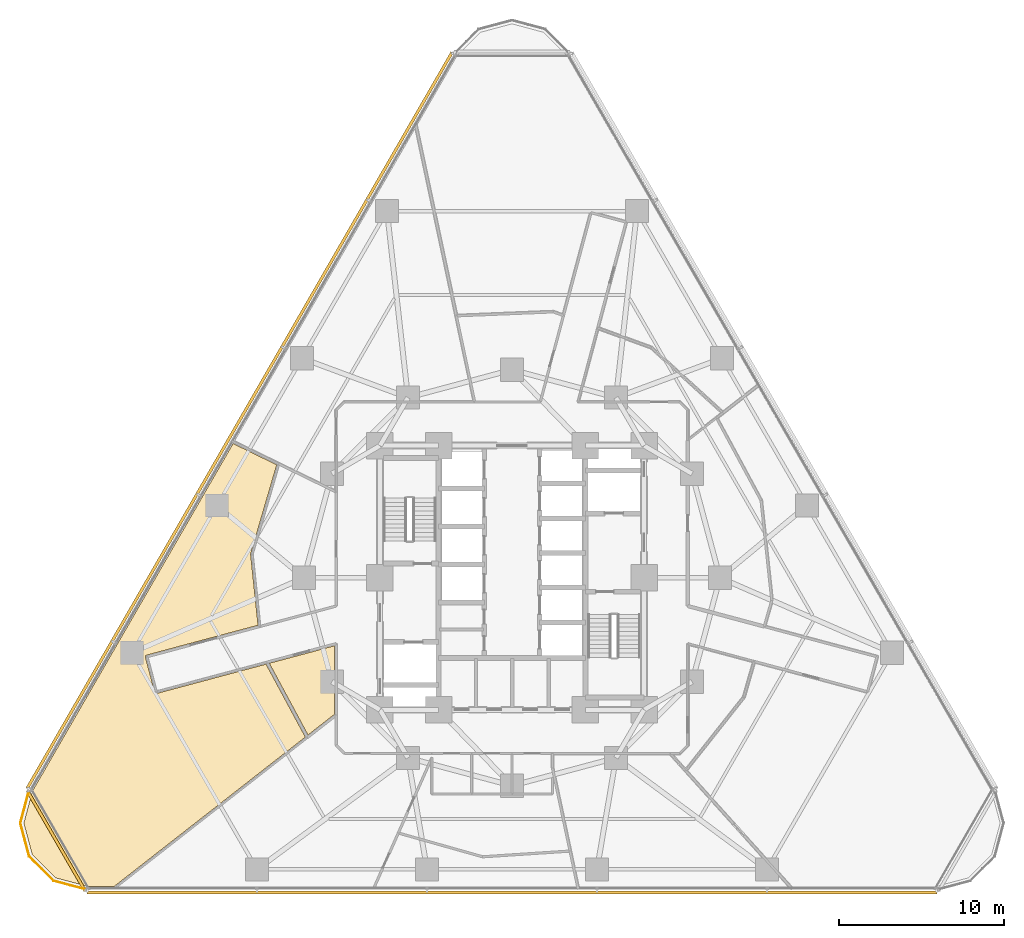
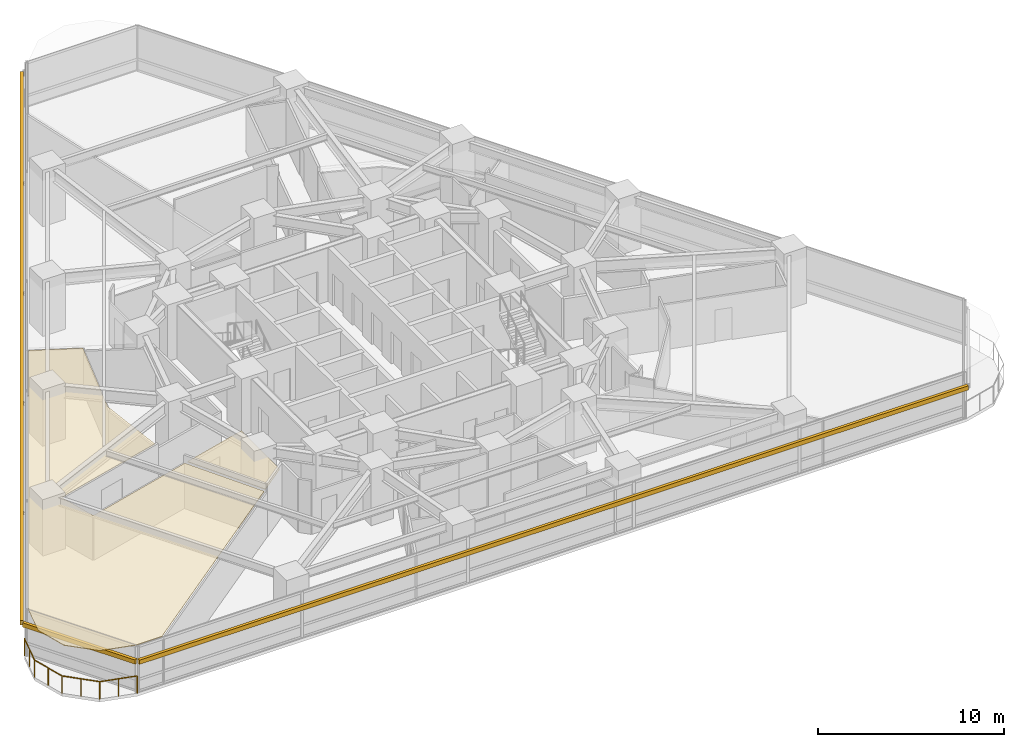
# One storey, part 13 of 15: 3 shading devices, 2 coverings, 1 railing.
"""IFC4 building model written with IfcOpenShell, lengths in metres."""

from ifc_helpers import new_model, si_unit, direction, frame, origin, origin_2d, place, context, subcontext, project, spatial, polyline, rectangle, circle, outline, extrude, material, layer, layer_set, type_object, element, save


model = new_model("IFC4")

# Units and contexts
model_context = context("Model", 3, precision=1e-05, world=origin(), true_north=direction((0.0, 1.0)))
body_context = subcontext(model_context, "Body", "Model", "MODEL_VIEW")
ifc_project = project(units=[si_unit("LENGTHUNIT", "METRE"), si_unit("AREAUNIT", "SQUARE_METRE"), si_unit("VOLUMEUNIT", "CUBIC_METRE"), si_unit("PLANEANGLEUNIT", "RADIAN"), si_unit("MASSUNIT", "GRAM", prefix="KILO")], contexts=[model_context])

# Site, building, storey
site_placement = place(None, origin())
site = spatial("IfcSite", under=ifc_project, at=site_placement, CompositionType="ELEMENT")
building_placement = place(site_placement, origin())
building = spatial("IfcBuilding", under=site, at=building_placement, Name="Terralouvre Media Tower", CompositionType="ELEMENT")
storey_placement = place(building_placement, frame((0.0, 0.0, 48.199951171875)))
storey = spatial("IfcBuildingStorey", under=building, at=storey_placement, Name="L11", CompositionType="ELEMENT", Elevation=48.199951171875)

# Coverings
ifc_material_1 = material(Name="Perforated aluminium acoustic ceiling baffle", Category="aluminium")
ifc_layer_1 = layer(ifc_material_1, 0.0400390625, Name="Perforated Acoustic Metal Tile Ceiling CL-AC1")
ifc_layer_set_1 = layer_set([ifc_layer_1], Name="Perforated aluminium acoustic ceiling baffle")
covering_type = type_object("IfcCoveringType", Name="Perforated Acoustic Metal Tile Ceiling CL-AC1", PredefinedType="CEILING", material=ifc_layer_set_1)
covering_1_placement = place(storey_placement, frame((0.0, 0.0, 2.97998046875)))
element("IfcCovering", 1, at=covering_1_placement, inside=storey, type_object=covering_type, Name="L11 Media Reference Library 3 Acoustic Ceiling", PredefinedType="CEILING", context=body_context, shape_type="SweptSolid", body=[
    extrude(outline(polyline([(-10.75, -8.272216796875), (-10.75, -4.122314453125), (-14.702880859375, -5.181884765625), (-12.359130859375, -9.529296875), (-10.75, -8.272216796875)])), origin(), (0.0, 0.0, 1.0), 0.0400390625),
])
covering_2_placement = place(storey_placement, frame((0.0, 0.0, 2.97998046875)))
element("IfcCovering", 2, at=covering_2_placement, inside=storey, type_object=covering_type, Name="L11 Student Project Breakout Room 7 Acoustic Ceiling", PredefinedType="CEILING", context=body_context, shape_type="SweptSolid", body=[
    extrude(outline(polyline([(-14.901611328125, -5.235107421875), (-21.51904296875, -7.008544921875), (-21.52880859375, -7.0107421875), (-21.53857421875, -7.01171875), (-21.54833984375, -7.011962890625), (-21.55810546875, -7.010986328125), (-21.567626953125, -7.009521484375), (-21.5771484375, -7.006591796875), (-21.586181640625, -7.003173828125), (-21.594970703125, -6.99853515625), (-21.603271484375, -6.993408203125), (-21.61083984375, -6.9873046875), (-21.617919921875, -6.98046875), (-21.624267578125, -6.972900390625), (-21.6298828125, -6.96484375), (-21.634765625, -6.956298828125), (-21.638671875, -6.947265625), (-21.6416015625, -6.93798828125), (-22.211669921875, -4.81298828125), (-22.213623046875, -4.80322265625), (-22.21484375, -4.793701171875), (-22.21484375, -4.78369140625), (-22.214111328125, -4.77392578125), (-22.21240234375, -4.764404296875), (-22.209716796875, -4.7548828125), (-22.2060546875, -4.74560546875), (-22.20166015625, -4.737060546875), (-22.1962890625, -4.728759765625), (-22.190185546875, -4.72119140625), (-22.183349609375, -4.714111328125), (-22.17578125, -4.707763671875), (-22.167724609375, -4.7021484375), (-22.1591796875, -4.697265625), (-22.150146484375, -4.693359375), (-22.140869140625, -4.6904296875), (-15.384521484375, -2.87939453125), (-15.83544921875, 1.41259765625), (-15.8359375, 1.42236328125), (-15.835693359375, 1.431884765625), (-15.834228515625, 1.441650390625), (-15.83203125, 1.451171875), (-14.252685546875, 6.840087890625), (-16.89599609375, 8.129150390625), (-29.052734375, -12.926513671875), (-29.572509765625, -14.866943359375), (-29.060302734375, -16.7783203125), (-27.6611328125, -18.17724609375), (-25.720703125, -18.697021484375), (-24.093505859375, -18.697021484375), (-12.51904296875, -9.654296875), (-14.901611328125, -5.235107421875)])), origin(), (0.0, 0.0, 1.0), 0.0400390625),
])

# Railing
ifc_material_2 = material(Name="Stainless steel 316 handrail and balustrade", Category="steel")
ifc_layer_2 = layer(ifc_material_2, 0.06005859375, Name="Roof Edge Safety Guardrail GR-ROOF1")
ifc_layer_set_2 = layer_set([ifc_layer_2], Name="Stainless steel 316 handrail and balustrade")
railing_type = type_object("IfcRailingType", Name="Roof Edge Safety Guardrail GR-ROOF1", PredefinedType="GUARDRAIL", material=ifc_layer_set_2)
railing_placement = place(storey_placement, frame((-29.24365234375, -12.835693359375, 0.0)))
element("IfcRailing", 3, at=railing_placement, inside=storey, type_object=railing_type, Name="L11 Wind-Corner Perimeter Safety Guardrail C0", PredefinedType="GUARDRAIL", context=body_context, shape_type="SweptSolid", body=[
    extrude(circle(Radius=0.02099609375, at=origin_2d()), frame((0.0, 0.0, 1.12890625), z_axis=(-0.259054358605, -0.965862743503, 0.0), x_axis=(0.965862743503, -0.259054358605, 0.0)), (0.0, 0.0, 1.0), 2.095947265625),
    extrude(circle(Radius=0.02099609375, at=origin_2d()), frame((-0.54296875, -2.0244140625, 1.12890625), z_axis=(0.258757438042, -0.965942331745, 0.0), x_axis=(0.965942331745, 0.258757438042, 0.0)), (0.0, 0.0, 1.0), 2.095458984375),
    extrude(circle(Radius=0.02099609375, at=origin_2d()), frame((-0.000732421875, -4.048583984375, 1.12890625), z_axis=(0.707165029613, -0.707048527961, 0.0), x_axis=(0.707048527961, 0.707165029613, 0.0)), (0.0, 0.0, 1.0), 2.095703125),
    extrude(circle(Radius=0.02099609375, at=origin_2d()), frame((1.481201171875, -5.5302734375, 1.12890625), z_axis=(0.965987029675, -0.258590522836, 0.0), x_axis=(0.258590522836, 0.965987029675, 0.0)), (0.0, 0.0, 1.0), 2.095947265625),
    extrude(circle(Radius=0.01904296875, at=origin_2d()), origin(), (0.0, 0.0, 1.0), 1.10791015625),
    extrude(circle(Radius=0.01904296875, at=origin_2d()), frame((-0.271484375, -1.01220703125, 0.0)), (0.0, 0.0, 1.0), 1.10791015625),
    extrude(circle(Radius=0.01904296875, at=origin_2d()), frame((-0.54296875, -2.0244140625, 0.0)), (0.0, 0.0, 1.0), 1.10791015625),
    extrude(circle(Radius=0.01904296875, at=origin_2d()), frame((-0.27197265625, -3.03662109375, 0.0)), (0.0, 0.0, 1.0), 1.10791015625),
    extrude(circle(Radius=0.01904296875, at=origin_2d()), frame((-0.000732421875, -4.048583984375, 0.0)), (0.0, 0.0, 1.0), 1.10791015625),
    extrude(circle(Radius=0.01904296875, at=origin_2d()), frame((0.740234375, -4.78955078125, 0.0)), (0.0, 0.0, 1.0), 1.10791015625),
    extrude(circle(Radius=0.01904296875, at=origin_2d()), frame((1.481201171875, -5.5302734375, 0.0)), (0.0, 0.0, 1.0), 1.10791015625),
    extrude(circle(Radius=0.01904296875, at=origin_2d()), frame((2.49365234375, -5.80126953125, 0.0)), (0.0, 0.0, 1.0), 1.10791015625),
    extrude(circle(Radius=0.01904296875, at=origin_2d()), frame((3.505859375, -6.072265625, 0.0)), (0.0, 0.0, 1.0), 1.10791015625),
])

# Shading devices
ifc_material_3 = material(Name="Extruded terracotta baguette sunshade louvres", Category="masonry")
shading_device_type = type_object("IfcShadingDeviceType", Name="Terracotta Baguette Sunshade Louvre Screen TB-LV1", PredefinedType="USERDEFINED", material=ifc_material_3)
for number, where, z_axis, x_axis, name in (
    (4, (0.0, -19.056884765625, 2.02392578125), (0.0, 0.0, 1.0), (1.0, 0.0, 0.0), "CW-L11-F0 Terracotta Baguette Sunshade Louvre"),
    (5, (-16.503662109375, 9.5283203125, 2.02392578125), (0.0, 0.0, 1.0), (-0.499999985671, -0.866025412057, 0.0), "CW-L11-F2 Terracotta Baguette Sunshade Louvre"),
):
    element("IfcShadingDevice", number, at=place(storey_placement, frame(where, z_axis=z_axis, x_axis=x_axis)), inside=storey, type_object=shading_device_type, Name=name, ObjectType="BAGUETTE", PredefinedType="USERDEFINED", context=body_context, shape_type="SweptSolid", body=[
        extrude(rectangle(XDim=51.5, YDim=0.179931640625, at=origin_2d()), origin(), (0.0, 0.0, 1.0), 0.280029296875),
    ])
shading_device_placement = place(storey_placement, frame((-27.607666015625, -15.939208984375, 2.02392578125), z_axis=(0.0, 0.0, 1.0), x_axis=(0.499999691503, -0.866025581895, 0.0)))
element("IfcShadingDevice", 6, at=shading_device_placement, inside=storey, type_object=shading_device_type, Name="CW-L11-C0 Terracotta Baguette Sunshade Louvre", ObjectType="BAGUETTE", PredefinedType="USERDEFINED", context=body_context, shape_type="SweptSolid", body=[
    extrude(rectangle(XDim=7.014892578125, YDim=0.179931640625, at=origin_2d()), origin(), (0.0, 0.0, 1.0), 0.280029296875),
])

save(model, "model.ifc")
